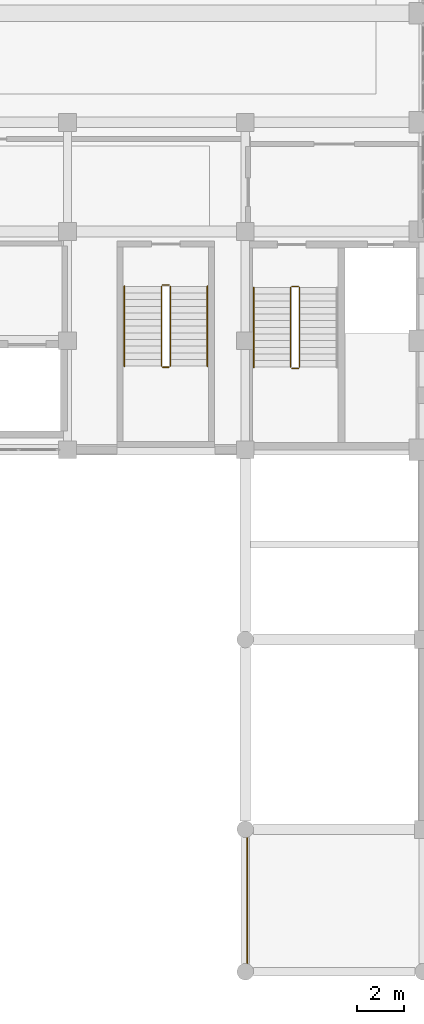
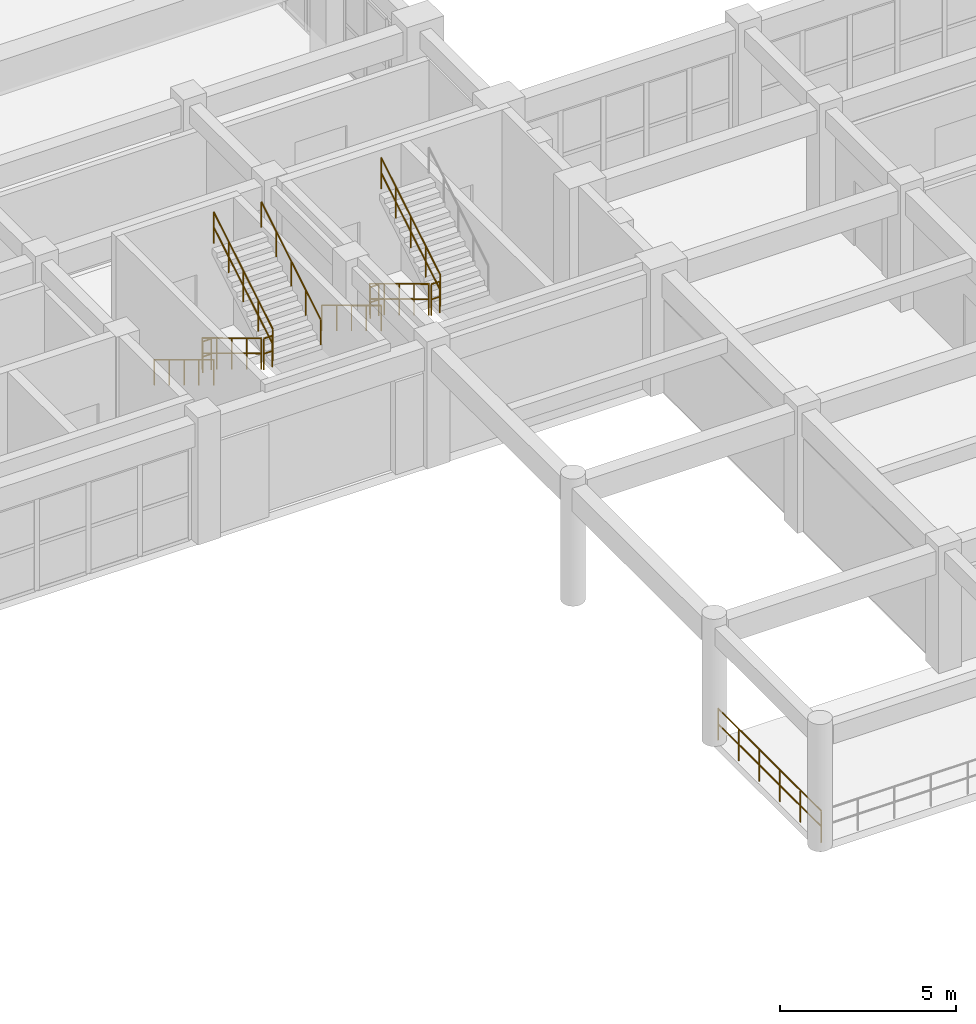
# One storey, part 108 of 116: 12 railings.
"""IFC4 building model written with IfcOpenShell, lengths in metres."""

from ifc_helpers import new_model, si_unit, direction, frame, origin, origin_2d, place, context, subcontext, project, spatial, circle, extrude, material, type_object, element, save


model = new_model("IFC4")

# Units and contexts
model_context = context("Model", 3, precision=1e-05, world=origin(), true_north=direction((0.0, 1.0)))
body_context = subcontext(model_context, "Body", "Model", "MODEL_VIEW")
ifc_project = project(units=[si_unit("LENGTHUNIT", "METRE"), si_unit("AREAUNIT", "SQUARE_METRE"), si_unit("VOLUMEUNIT", "CUBIC_METRE"), si_unit("PLANEANGLEUNIT", "RADIAN"), si_unit("MASSUNIT", "GRAM", prefix="KILO")], contexts=[model_context])

# Site, building, storey
site_placement = place(None, origin())
site = spatial("IfcSite", under=ifc_project, at=site_placement, CompositionType="ELEMENT")
building_placement = place(site_placement, origin())
building = spatial("IfcBuilding", under=site, at=building_placement, Name="Muzn Square Opera House", CompositionType="ELEMENT")
storey_placement = place(building_placement, frame((0.0, 0.0, 5.39990234375)))
storey = spatial("IfcBuildingStorey", under=building, at=storey_placement, Name="L01", CompositionType="ELEMENT", Elevation=5.39990234375)

# Railings
ifc_material_1 = material(Name="Architectural bronze mashrabiya", Category="metal")
railing_type_1 = type_object("IfcRailingType", Name="Bronze Protective Balustrade 1120mm", PredefinedType="BALUSTRADE", material=ifc_material_1)
railing_1_placement = place(storey_placement, frame((125.580078125, 5.919921875, 0.0)))
element("IfcRailing", 1, at=railing_1_placement, inside=storey, type_object=railing_type_1, Name="East Loggia Terrace Balustrade L01-0182", PredefinedType="BALUSTRADE", context=body_context, shape_type="SweptSolid", body=[
    extrude(circle(Radius=0.02392578125, at=origin_2d()), frame((0.0, 0.0, 1.09619140625), z_axis=(0.0, -1.0, 0.0), x_axis=(1.0, 0.0, 0.0)), (0.0, 0.0, 1.0), 5.83984375),
    extrude(circle(Radius=0.02392578125, at=origin_2d()), frame((0.0, 0.0, 0.56005859375), z_axis=(0.0, -1.0, 0.0), x_axis=(1.0, 0.0, 0.0)), (0.0, 0.0, 1.0), 5.83984375),
    extrude(circle(Radius=0.02099609375, at=origin_2d()), origin(), (0.0, 0.0, 1.0), 1.072021484375),
    extrude(circle(Radius=0.02099609375, at=origin_2d()), frame((0.0, -1.16796875, 0.0)), (0.0, 0.0, 1.0), 1.072021484375),
    extrude(circle(Radius=0.02099609375, at=origin_2d()), frame((0.0, -2.3359375, 0.0)), (0.0, 0.0, 1.0), 1.072021484375),
    extrude(circle(Radius=0.02099609375, at=origin_2d()), frame((0.0, -3.50390625, 0.0)), (0.0, 0.0, 1.0), 1.072021484375),
    extrude(circle(Radius=0.02099609375, at=origin_2d()), frame((0.0, -4.671875, 0.0)), (0.0, 0.0, 1.0), 1.072021484375),
    extrude(circle(Radius=0.02099609375, at=origin_2d()), frame((0.0, -5.83984375, 0.0)), (0.0, 0.0, 1.0), 1.072021484375),
])
ifc_material_2 = material(Name="Brushed stainless steel", Category="metal")
railing_type_2 = type_object("IfcRailingType", Name="Stair Guard Railing 1120mm", PredefinedType="GUARDRAIL", material=ifc_material_2)
railing_2_placement = place(storey_placement, frame((127.409912109375, 28.840087890625, 0.16943359375)))
element("IfcRailing", 2, at=railing_2_placement, inside=storey, type_object=railing_type_2, Name="L01 ST-4 stair guard 1", PredefinedType="GUARDRAIL", context=body_context, shape_type="SweptSolid", body=[
    extrude(circle(Radius=0.02392578125, at=origin_2d()), frame((0.0, 0.0, 1.076171875), z_axis=(0.0, -0.855836976705, 0.517245656632), x_axis=(1.0, 0.0, 0.0)), (0.0, 0.0, 1.0), 3.926025390625),
    extrude(circle(Radius=0.02392578125, at=origin_2d()), frame((0.0, 0.0, 0.550048828125), z_axis=(0.0, -0.855836976705, 0.517245656632), x_axis=(1.0, 0.0, 0.0)), (0.0, 0.0, 1.0), 3.926025390625),
    extrude(circle(Radius=0.02099609375, at=origin_2d()), origin(), (0.0, 0.0, 1.0), 1.052001953125),
    extrude(circle(Radius=0.02099609375, at=origin_2d()), frame((0.0, -0.840087890625, 0.5078125)), (0.0, 0.0, 1.0), 1.052001953125),
    extrude(circle(Radius=0.02099609375, at=origin_2d()), frame((0.0, -1.68017578125, 1.015380859375)), (0.0, 0.0, 1.0), 1.052001953125),
    extrude(circle(Radius=0.02099609375, at=origin_2d()), frame((0.0, -2.52001953125, 1.52294921875)), (0.0, 0.0, 1.0), 1.052001953125),
    extrude(circle(Radius=0.02099609375, at=origin_2d()), frame((0.0, -3.360107421875, 2.03076171875)), (0.0, 0.0, 1.0), 1.052001953125),
])
railing_3_placement = place(storey_placement, frame((127.4599609375, 25.429931640625, 2.2001953125)))
element("IfcRailing", 3, at=railing_3_placement, inside=storey, type_object=railing_type_2, Name="L01 ST-4 stair guard 2", PredefinedType="GUARDRAIL", context=body_context, shape_type="SweptSolid", body=[
    extrude(circle(Radius=0.02392578125, at=origin_2d()), frame((0.0, 0.0, 1.076171875), z_axis=(1.0, 0.0, 0.0), x_axis=(0.0, 1.0, 0.0)), (0.0, 0.0, 1.0), 0.280029296875),
    extrude(circle(Radius=0.02392578125, at=origin_2d()), frame((0.0, 0.0, 0.550048828125), z_axis=(1.0, 0.0, 0.0), x_axis=(0.0, 1.0, 0.0)), (0.0, 0.0, 1.0), 0.280029296875),
    extrude(circle(Radius=0.02099609375, at=origin_2d()), origin(), (0.0, 0.0, 1.0), 1.052001953125),
    extrude(circle(Radius=0.02099609375, at=origin_2d()), frame((0.280029296875, 0.0, 0.0)), (0.0, 0.0, 1.0), 1.052001953125),
])
railing_4_placement = place(storey_placement, frame((127.7900390625, 25.47998046875, 2.369384765625)))
element("IfcRailing", 4, at=railing_4_placement, inside=storey, type_object=railing_type_2, Name="L01 ST-4 stair guard 3", PredefinedType="GUARDRAIL", context=body_context, shape_type="SweptSolid", body=[
    extrude(circle(Radius=0.02392578125, at=origin_2d()), frame((0.0, 0.0, 1.076171875), z_axis=(0.0, 0.855836976705, 0.517245656632), x_axis=(-1.0, 0.0, 0.0)), (0.0, 0.0, 1.0), 3.926025390625),
    extrude(circle(Radius=0.02392578125, at=origin_2d()), frame((0.0, 0.0, 0.550048828125), z_axis=(0.0, 0.855836976705, 0.517245656632), x_axis=(-1.0, 0.0, 0.0)), (0.0, 0.0, 1.0), 3.926025390625),
    extrude(circle(Radius=0.02099609375, at=origin_2d()), origin(), (0.0, 0.0, 1.0), 1.052001953125),
    extrude(circle(Radius=0.02099609375, at=origin_2d()), frame((0.0, 0.840087890625, 0.5078125)), (0.0, 0.0, 1.0), 1.052001953125),
    extrude(circle(Radius=0.02099609375, at=origin_2d()), frame((0.0, 1.68017578125, 1.015380859375)), (0.0, 0.0, 1.0), 1.052001953125),
    extrude(circle(Radius=0.02099609375, at=origin_2d()), frame((0.0, 2.52001953125, 1.52294921875)), (0.0, 0.0, 1.0), 1.052001953125),
    extrude(circle(Radius=0.02099609375, at=origin_2d()), frame((0.0, 3.360107421875, 2.03076171875)), (0.0, 0.0, 1.0), 1.052001953125),
])
railing_5_placement = place(storey_placement, frame((127.4599609375, 28.889892578125, 0.0)))
element("IfcRailing", 5, at=railing_5_placement, inside=storey, type_object=railing_type_2, Name="L01 ST-4 stair guard 4", PredefinedType="GUARDRAIL", context=body_context, shape_type="SweptSolid", body=[
    extrude(circle(Radius=0.02392578125, at=origin_2d()), frame((0.0, 0.0, 1.076171875), z_axis=(1.0, 0.0, 0.0), x_axis=(0.0, 1.0, 0.0)), (0.0, 0.0, 1.0), 0.280029296875),
    extrude(circle(Radius=0.02392578125, at=origin_2d()), frame((0.0, 0.0, 0.550048828125), z_axis=(1.0, 0.0, 0.0), x_axis=(0.0, 1.0, 0.0)), (0.0, 0.0, 1.0), 0.280029296875),
    extrude(circle(Radius=0.02099609375, at=origin_2d()), origin(), (0.0, 0.0, 1.0), 1.052001953125),
    extrude(circle(Radius=0.02099609375, at=origin_2d()), frame((0.280029296875, 0.0, 0.0)), (0.0, 0.0, 1.0), 1.052001953125),
])
railing_6_placement = place(storey_placement, frame((121.9599609375, 28.889892578125, 0.16943359375)))
element("IfcRailing", 6, at=railing_6_placement, inside=storey, type_object=railing_type_2, Name="L01 ST-12 stair guard 1", PredefinedType="GUARDRAIL", context=body_context, shape_type="SweptSolid", body=[
    extrude(circle(Radius=0.02392578125, at=origin_2d()), frame((0.0, 0.0, 1.076171875), z_axis=(0.0, -0.855820338506, 0.51727318527), x_axis=(1.0, 0.0, 0.0)), (0.0, 0.0, 1.0), 3.92578125),
    extrude(circle(Radius=0.02392578125, at=origin_2d()), frame((0.0, 0.0, 0.550048828125), z_axis=(0.0, -0.855820338506, 0.51727318527), x_axis=(1.0, 0.0, 0.0)), (0.0, 0.0, 1.0), 3.92578125),
    extrude(circle(Radius=0.02099609375, at=origin_2d()), origin(), (0.0, 0.0, 1.0), 1.052001953125),
    extrude(circle(Radius=0.02099609375, at=origin_2d()), frame((0.0, -0.83984375, 0.5078125)), (0.0, 0.0, 1.0), 1.052001953125),
    extrude(circle(Radius=0.02099609375, at=origin_2d()), frame((0.0, -1.679931640625, 1.015380859375)), (0.0, 0.0, 1.0), 1.052001953125),
    extrude(circle(Radius=0.02099609375, at=origin_2d()), frame((0.0, -2.52001953125, 1.52294921875)), (0.0, 0.0, 1.0), 1.052001953125),
    extrude(circle(Radius=0.02099609375, at=origin_2d()), frame((0.0, -3.35986328125, 2.03076171875)), (0.0, 0.0, 1.0), 1.052001953125),
])
railing_7_placement = place(storey_placement, frame((122.010009765625, 25.47998046875, 2.2001953125)))
element("IfcRailing", 7, at=railing_7_placement, inside=storey, type_object=railing_type_2, Name="L01 ST-12 stair guard 2", PredefinedType="GUARDRAIL", context=body_context, shape_type="SweptSolid", body=[
    extrude(circle(Radius=0.02392578125, at=origin_2d()), frame((0.0, 0.0, 1.076171875), z_axis=(1.0, 0.0, 0.0), x_axis=(0.0, 1.0, 0.0)), (0.0, 0.0, 1.0), 0.280029296875),
    extrude(circle(Radius=0.02392578125, at=origin_2d()), frame((0.0, 0.0, 0.550048828125), z_axis=(1.0, 0.0, 0.0), x_axis=(0.0, 1.0, 0.0)), (0.0, 0.0, 1.0), 0.280029296875),
    extrude(circle(Radius=0.02099609375, at=origin_2d()), origin(), (0.0, 0.0, 1.0), 1.052001953125),
    extrude(circle(Radius=0.02099609375, at=origin_2d()), frame((0.280029296875, 0.0, 0.0)), (0.0, 0.0, 1.0), 1.052001953125),
])
railing_8_placement = place(storey_placement, frame((122.340087890625, 25.530029296875, 2.369384765625)))
element("IfcRailing", 8, at=railing_8_placement, inside=storey, type_object=railing_type_2, Name="L01 ST-12 stair guard 3", PredefinedType="GUARDRAIL", context=body_context, shape_type="SweptSolid", body=[
    extrude(circle(Radius=0.02392578125, at=origin_2d()), frame((0.0, 0.0, 1.076171875), z_axis=(0.0, 0.855820338506, 0.51727318527), x_axis=(-1.0, 0.0, 0.0)), (0.0, 0.0, 1.0), 3.92578125),
    extrude(circle(Radius=0.02392578125, at=origin_2d()), frame((0.0, 0.0, 0.550048828125), z_axis=(0.0, 0.855820338506, 0.51727318527), x_axis=(-1.0, 0.0, 0.0)), (0.0, 0.0, 1.0), 3.92578125),
    extrude(circle(Radius=0.02099609375, at=origin_2d()), origin(), (0.0, 0.0, 1.0), 1.052001953125),
    extrude(circle(Radius=0.02099609375, at=origin_2d()), frame((0.0, 0.83984375, 0.5078125)), (0.0, 0.0, 1.0), 1.052001953125),
    extrude(circle(Radius=0.02099609375, at=origin_2d()), frame((0.0, 1.679931640625, 1.015380859375)), (0.0, 0.0, 1.0), 1.052001953125),
    extrude(circle(Radius=0.02099609375, at=origin_2d()), frame((0.0, 2.52001953125, 1.52294921875)), (0.0, 0.0, 1.0), 1.052001953125),
    extrude(circle(Radius=0.02099609375, at=origin_2d()), frame((0.0, 3.35986328125, 2.03076171875)), (0.0, 0.0, 1.0), 1.052001953125),
])
railing_9_placement = place(storey_placement, frame((122.010009765625, 28.93994140625, 0.0)))
element("IfcRailing", 9, at=railing_9_placement, inside=storey, type_object=railing_type_2, Name="L01 ST-12 stair guard 4", PredefinedType="GUARDRAIL", context=body_context, shape_type="SweptSolid", body=[
    extrude(circle(Radius=0.02392578125, at=origin_2d()), frame((0.0, 0.0, 1.076171875), z_axis=(1.0, 0.0, 0.0), x_axis=(0.0, 1.0, 0.0)), (0.0, 0.0, 1.0), 0.280029296875),
    extrude(circle(Radius=0.02392578125, at=origin_2d()), frame((0.0, 0.0, 0.550048828125), z_axis=(1.0, 0.0, 0.0), x_axis=(0.0, 1.0, 0.0)), (0.0, 0.0, 1.0), 0.280029296875),
    extrude(circle(Radius=0.02099609375, at=origin_2d()), origin(), (0.0, 0.0, 1.0), 1.052001953125),
    extrude(circle(Radius=0.02099609375, at=origin_2d()), frame((0.280029296875, 0.0, 0.0)), (0.0, 0.0, 1.0), 1.052001953125),
])
railing_type_3 = type_object("IfcRailingType", Name="Stair Pitch Handrail 900mm", PredefinedType="HANDRAIL", material=ifc_material_2)
railing_10_placement = place(storey_placement, frame((125.85009765625, 28.840087890625, 0.16943359375)))
element("IfcRailing", 10, at=railing_10_placement, inside=storey, type_object=railing_type_3, Name="L01 ST-4 stair handrail 1", PredefinedType="HANDRAIL", context=body_context, shape_type="SweptSolid", body=[
    extrude(circle(Radius=0.02392578125, at=origin_2d()), frame((0.0, 0.0, 0.8759765625), z_axis=(0.0, -0.855836976705, 0.517245656632), x_axis=(1.0, 0.0, 0.0)), (0.0, 0.0, 1.0), 3.926025390625),
    extrude(circle(Radius=0.02099609375, at=origin_2d()), origin(), (0.0, 0.0, 1.0), 0.851806640625),
    extrude(circle(Radius=0.02099609375, at=origin_2d()), frame((0.0, -0.840087890625, 0.5078125)), (0.0, 0.0, 1.0), 0.851806640625),
    extrude(circle(Radius=0.02099609375, at=origin_2d()), frame((0.0, -1.68017578125, 1.015380859375)), (0.0, 0.0, 1.0), 0.851806640625),
    extrude(circle(Radius=0.02099609375, at=origin_2d()), frame((0.0, -2.52001953125, 1.52294921875)), (0.0, 0.0, 1.0), 0.851806640625),
    extrude(circle(Radius=0.02099609375, at=origin_2d()), frame((0.0, -3.360107421875, 2.03076171875)), (0.0, 0.0, 1.0), 0.851806640625),
])
railing_11_placement = place(storey_placement, frame((120.39990234375, 28.889892578125, 0.16943359375)))
element("IfcRailing", 11, at=railing_11_placement, inside=storey, type_object=railing_type_3, Name="L01 ST-12 stair handrail 1", PredefinedType="HANDRAIL", context=body_context, shape_type="SweptSolid", body=[
    extrude(circle(Radius=0.02392578125, at=origin_2d()), frame((0.0, 0.0, 0.8759765625), z_axis=(0.0, -0.855820338506, 0.51727318527), x_axis=(1.0, 0.0, 0.0)), (0.0, 0.0, 1.0), 3.92578125),
    extrude(circle(Radius=0.02099609375, at=origin_2d()), origin(), (0.0, 0.0, 1.0), 0.851806640625),
    extrude(circle(Radius=0.02099609375, at=origin_2d()), frame((0.0, -0.83984375, 0.5078125)), (0.0, 0.0, 1.0), 0.851806640625),
    extrude(circle(Radius=0.02099609375, at=origin_2d()), frame((0.0, -1.679931640625, 1.015380859375)), (0.0, 0.0, 1.0), 0.851806640625),
    extrude(circle(Radius=0.02099609375, at=origin_2d()), frame((0.0, -2.52001953125, 1.52294921875)), (0.0, 0.0, 1.0), 0.851806640625),
    extrude(circle(Radius=0.02099609375, at=origin_2d()), frame((0.0, -3.35986328125, 2.03076171875)), (0.0, 0.0, 1.0), 0.851806640625),
])
railing_12_placement = place(storey_placement, frame((123.89990234375, 25.530029296875, 2.369384765625)))
element("IfcRailing", 12, at=railing_12_placement, inside=storey, type_object=railing_type_3, Name="L01 ST-12 stair handrail 2", PredefinedType="HANDRAIL", context=body_context, shape_type="SweptSolid", body=[
    extrude(circle(Radius=0.02392578125, at=origin_2d()), frame((0.0, 0.0, 0.8759765625), z_axis=(0.0, 0.855820338506, 0.51727318527), x_axis=(-1.0, 0.0, 0.0)), (0.0, 0.0, 1.0), 3.92578125),
    extrude(circle(Radius=0.02099609375, at=origin_2d()), origin(), (0.0, 0.0, 1.0), 0.851806640625),
    extrude(circle(Radius=0.02099609375, at=origin_2d()), frame((0.0, 0.83984375, 0.5078125)), (0.0, 0.0, 1.0), 0.851806640625),
    extrude(circle(Radius=0.02099609375, at=origin_2d()), frame((0.0, 1.679931640625, 1.015380859375)), (0.0, 0.0, 1.0), 0.851806640625),
    extrude(circle(Radius=0.02099609375, at=origin_2d()), frame((0.0, 2.52001953125, 1.52294921875)), (0.0, 0.0, 1.0), 0.851806640625),
    extrude(circle(Radius=0.02099609375, at=origin_2d()), frame((0.0, 3.35986328125, 2.03076171875)), (0.0, 0.0, 1.0), 0.851806640625),
])

save(model, "model.ifc")
